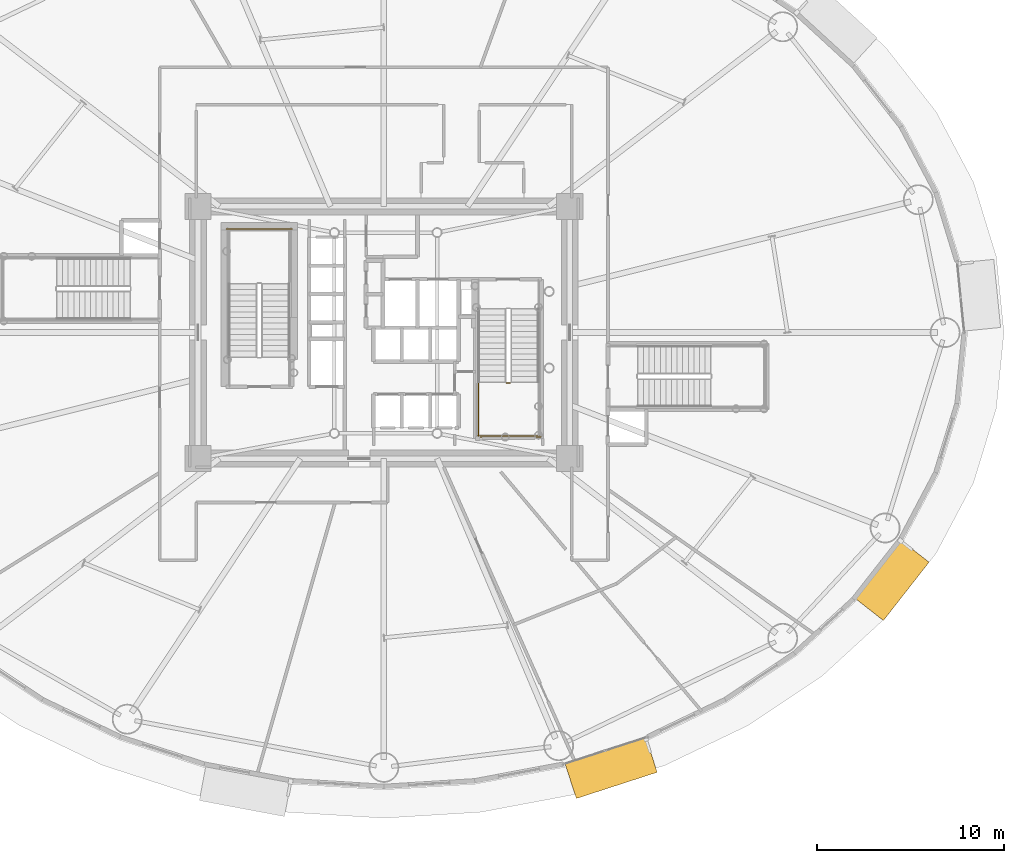
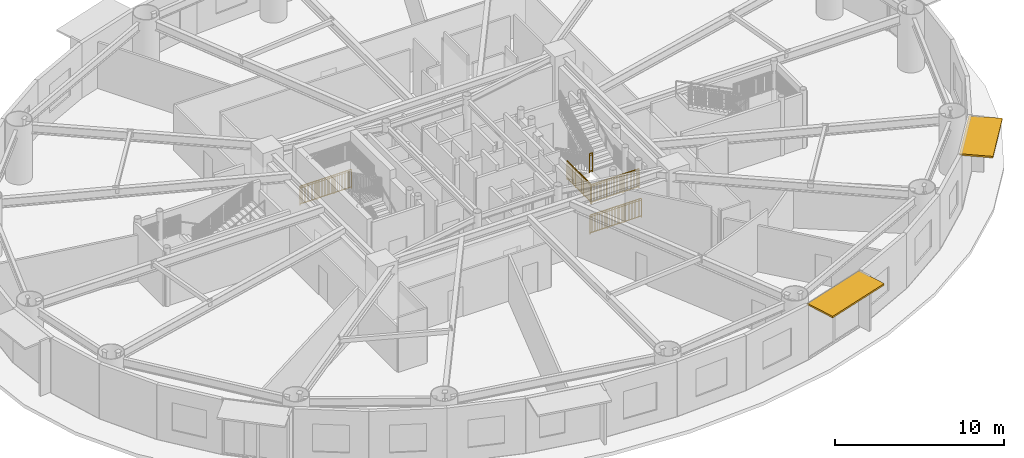
# One storey, part 30 of 35: 5 railings, 2 shading devices.
"""IFC4 building model written with IfcOpenShell, lengths in metres."""

from ifc_helpers import new_model, si_unit, direction, frame, origin, origin_2d, place, context, subcontext, project, spatial, rectangle, extrude, source, transform, mapped, material, layer, layer_set, type_object, element, save


model = new_model("IFC4")

# Units and contexts
model_context = context("Model", 3, precision=1e-05, world=origin(), true_north=direction((0.0, 1.0)))
body_context = subcontext(model_context, "Body", "Model", "MODEL_VIEW")
ifc_project = project(units=[si_unit("LENGTHUNIT", "METRE"), si_unit("AREAUNIT", "SQUARE_METRE"), si_unit("VOLUMEUNIT", "CUBIC_METRE"), si_unit("PLANEANGLEUNIT", "RADIAN"), si_unit("MASSUNIT", "GRAM", prefix="KILO")], contexts=[model_context])

# Site, building, storey
site_placement = place(None, origin())
site = spatial("IfcSite", under=ifc_project, at=site_placement, CompositionType="ELEMENT")
building_placement = place(site_placement, origin())
building = spatial("IfcBuilding", under=site, at=building_placement, Name="Linh Dai School and Residence Tower", CompositionType="ELEMENT")
storey_placement = place(building_placement, frame((0.0, 0.0, 32.39990234375)))
storey = spatial("IfcBuildingStorey", under=building, at=storey_placement, Name="L07", CompositionType="ELEMENT", Elevation=32.39990234375)

# Shading devices
ifc_material_1 = material(Name="Terracotta Ceramic Sunshade", Category="masonry")
ifc_layer = layer(ifc_material_1, 0.1201171875)
ifc_layer_set = layer_set([ifc_layer], Name="Terracotta Ceramic Sunshade")
shading_device_type = type_object("IfcShadingDeviceType", Name="SHD-TC-2000", PredefinedType="USERDEFINED", material=ifc_layer_set)
shared_shape_1 = source(origin(), body_context, "Body", "SweptSolid", [
    extrude(rectangle(XDim=4.54931640625, YDim=2.0, at=origin_2d()), origin(), (0.0, 0.0, 1.0), 0.1201171875),
])
shading_device_1_placement = place(storey_placement, frame((48.160400390625, 3.70458984375, 3.81005859375), z_axis=(0.0, 0.0, 1.0), x_axis=(-0.951220777043, -0.308510993844, 0.0)))
element("IfcShadingDevice", 1, at=shading_device_1_placement, inside=storey, type_object=shading_device_type, Name="L07 Terracotta Horizontal Sunshade Band 33", ObjectType="SUNSHADE", PredefinedType="USERDEFINED", context=body_context, shape_type="MappedRepresentation", body=[
    mapped(shared_shape_1, transform((0.0, 0.0, 0.0), x_axis=(1.0, 0.0, 0.0), y_axis=(0.0, 1.0, 0.0), z_axis=(0.0, 0.0, 1.0), scale=1.0)),
])
shared_shape_2 = source(origin(), body_context, "Body", "SweptSolid", [
    extrude(rectangle(XDim=3.964111328125, YDim=2.0, at=origin_2d()), origin(), (0.0, 0.0, 1.0), 0.1201171875),
])
shading_device_2_placement = place(storey_placement, frame((63.17822265625, 13.759521484375, 3.81005859375), z_axis=(0.0, 0.0, 1.0), x_axis=(-0.616319427785, -0.787496262172, 0.0)))
element("IfcShadingDevice", 2, at=shading_device_2_placement, inside=storey, type_object=shading_device_type, Name="L07 Terracotta Horizontal Sunshade Band 37", ObjectType="SUNSHADE", PredefinedType="USERDEFINED", context=body_context, shape_type="MappedRepresentation", body=[
    mapped(shared_shape_2, transform((0.0, 0.0, 0.0), x_axis=(1.0, 0.0, 0.0), y_axis=(0.0, 1.0, 0.0), z_axis=(0.0, 0.0, 1.0), scale=1.0)),
])

# Railings
ifc_material_2 = material(Name="Structural Steel S355JR", Category="steel")
railing_type = type_object("IfcRailingType", Name="RL-ST-GUARD-1400", PredefinedType="GUARDRAIL", material=ifc_material_2)
shared_shape_3 = source(origin(), body_context, "Body", "SweptSolid", [
    extrude(rectangle(XDim=0.048095703125, YDim=0.048095703125, at=origin_2d()), frame((0.0, 0.0, 1.3759765625), z_axis=(-1.0, 0.0, 0.0), x_axis=(0.0, -1.0, 0.0)), (0.0, 0.0, 1.0), 3.5),
    extrude(rectangle(XDim=0.048095703125, YDim=0.048095703125, at=origin_2d()), frame((0.0, 0.0, 0.10009765625), z_axis=(-1.0, 0.0, 0.0), x_axis=(0.0, -1.0, 0.0)), (0.0, 0.0, 1.0), 3.5),
    extrude(rectangle(XDim=0.030029296875, YDim=0.030029296875, at=origin_2d()), frame((0.0, 0.0, 1.239990234375), z_axis=(-1.0, 0.0, 0.0), x_axis=(0.0, -1.0, 0.0)), (0.0, 0.0, 1.0), 3.5),
    extrude(rectangle(XDim=0.02001953125, YDim=0.02001953125, at=origin_2d()), frame((-0.09716796875, 0.0, 0.10009765625)), (0.0, 0.0, 1.0), 1.251708984375),
    extrude(rectangle(XDim=0.02001953125, YDim=0.02001953125, at=origin_2d()), frame((-0.1943359375, 0.0, 0.10009765625)), (0.0, 0.0, 1.0), 1.251708984375),
    extrude(rectangle(XDim=0.02001953125, YDim=0.02001953125, at=origin_2d()), frame((-0.291748046875, 0.0, 0.10009765625)), (0.0, 0.0, 1.0), 1.251708984375),
    extrude(rectangle(XDim=0.02001953125, YDim=0.02001953125, at=origin_2d()), frame((-0.388916015625, 0.0, 0.10009765625)), (0.0, 0.0, 1.0), 1.251708984375),
    extrude(rectangle(XDim=0.02001953125, YDim=0.02001953125, at=origin_2d()), frame((-0.486083984375, 0.0, 0.10009765625)), (0.0, 0.0, 1.0), 1.251708984375),
    extrude(rectangle(XDim=0.02001953125, YDim=0.02001953125, at=origin_2d()), frame((-0.583251953125, 0.0, 0.10009765625)), (0.0, 0.0, 1.0), 1.251708984375),
    extrude(rectangle(XDim=0.02001953125, YDim=0.02001953125, at=origin_2d()), frame((-0.6806640625, 0.0, 0.10009765625)), (0.0, 0.0, 1.0), 1.251708984375),
    extrude(rectangle(XDim=0.02001953125, YDim=0.02001953125, at=origin_2d()), frame((-0.77783203125, 0.0, 0.10009765625)), (0.0, 0.0, 1.0), 1.251708984375),
    extrude(rectangle(XDim=0.02001953125, YDim=0.02001953125, at=origin_2d()), frame((-0.875, 0.0, 0.10009765625)), (0.0, 0.0, 1.0), 1.251708984375),
    extrude(rectangle(XDim=0.02001953125, YDim=0.02001953125, at=origin_2d()), frame((-0.97216796875, 0.0, 0.10009765625)), (0.0, 0.0, 1.0), 1.251708984375),
    extrude(rectangle(XDim=0.02001953125, YDim=0.02001953125, at=origin_2d()), frame((-1.0693359375, 0.0, 0.10009765625)), (0.0, 0.0, 1.0), 1.251708984375),
    extrude(rectangle(XDim=0.02001953125, YDim=0.02001953125, at=origin_2d()), frame((-1.263916015625, 0.0, 0.10009765625)), (0.0, 0.0, 1.0), 1.251708984375),
    extrude(rectangle(XDim=0.02001953125, YDim=0.02001953125, at=origin_2d()), frame((-1.361083984375, 0.0, 0.10009765625)), (0.0, 0.0, 1.0), 1.251708984375),
    extrude(rectangle(XDim=0.02001953125, YDim=0.02001953125, at=origin_2d()), frame((-1.458251953125, 0.0, 0.10009765625)), (0.0, 0.0, 1.0), 1.251708984375),
    extrude(rectangle(XDim=0.02001953125, YDim=0.02001953125, at=origin_2d()), frame((-1.5556640625, 0.0, 0.10009765625)), (0.0, 0.0, 1.0), 1.251708984375),
    extrude(rectangle(XDim=0.02001953125, YDim=0.02001953125, at=origin_2d()), frame((-1.65283203125, 0.0, 0.10009765625)), (0.0, 0.0, 1.0), 1.251708984375),
    extrude(rectangle(XDim=0.02001953125, YDim=0.02001953125, at=origin_2d()), frame((-1.75, 0.0, 0.10009765625)), (0.0, 0.0, 1.0), 1.251708984375),
    extrude(rectangle(XDim=0.02001953125, YDim=0.02001953125, at=origin_2d()), frame((-1.84716796875, 0.0, 0.10009765625)), (0.0, 0.0, 1.0), 1.251708984375),
    extrude(rectangle(XDim=0.02001953125, YDim=0.02001953125, at=origin_2d()), frame((-1.9443359375, 0.0, 0.10009765625)), (0.0, 0.0, 1.0), 1.251708984375),
    extrude(rectangle(XDim=0.02001953125, YDim=0.02001953125, at=origin_2d()), frame((-2.041748046875, 0.0, 0.10009765625)), (0.0, 0.0, 1.0), 1.251708984375),
    extrude(rectangle(XDim=0.02001953125, YDim=0.02001953125, at=origin_2d()), frame((-2.138916015625, 0.0, 0.10009765625)), (0.0, 0.0, 1.0), 1.251708984375),
    extrude(rectangle(XDim=0.02001953125, YDim=0.02001953125, at=origin_2d()), frame((-2.236083984375, 0.0, 0.10009765625)), (0.0, 0.0, 1.0), 1.251708984375),
    extrude(rectangle(XDim=0.02001953125, YDim=0.02001953125, at=origin_2d()), frame((-2.4306640625, 0.0, 0.10009765625)), (0.0, 0.0, 1.0), 1.251708984375),
    extrude(rectangle(XDim=0.02001953125, YDim=0.02001953125, at=origin_2d()), frame((-2.52783203125, 0.0, 0.10009765625)), (0.0, 0.0, 1.0), 1.251708984375),
    extrude(rectangle(XDim=0.02001953125, YDim=0.02001953125, at=origin_2d()), frame((-2.625, 0.0, 0.10009765625)), (0.0, 0.0, 1.0), 1.251708984375),
    extrude(rectangle(XDim=0.02001953125, YDim=0.02001953125, at=origin_2d()), frame((-2.72216796875, 0.0, 0.10009765625)), (0.0, 0.0, 1.0), 1.251708984375),
    extrude(rectangle(XDim=0.02001953125, YDim=0.02001953125, at=origin_2d()), frame((-2.8193359375, 0.0, 0.10009765625)), (0.0, 0.0, 1.0), 1.251708984375),
    extrude(rectangle(XDim=0.02001953125, YDim=0.02001953125, at=origin_2d()), frame((-2.916748046875, 0.0, 0.10009765625)), (0.0, 0.0, 1.0), 1.251708984375),
    extrude(rectangle(XDim=0.02001953125, YDim=0.02001953125, at=origin_2d()), frame((-3.013916015625, 0.0, 0.10009765625)), (0.0, 0.0, 1.0), 1.251708984375),
    extrude(rectangle(XDim=0.02001953125, YDim=0.02001953125, at=origin_2d()), frame((-3.111083984375, 0.0, 0.10009765625)), (0.0, 0.0, 1.0), 1.251708984375),
    extrude(rectangle(XDim=0.02001953125, YDim=0.02001953125, at=origin_2d()), frame((-3.208251953125, 0.0, 0.10009765625)), (0.0, 0.0, 1.0), 1.251708984375),
    extrude(rectangle(XDim=0.02001953125, YDim=0.02001953125, at=origin_2d()), frame((-3.3056640625, 0.0, 0.10009765625)), (0.0, 0.0, 1.0), 1.251708984375),
    extrude(rectangle(XDim=0.02001953125, YDim=0.02001953125, at=origin_2d()), frame((-3.40283203125, 0.0, 0.10009765625)), (0.0, 0.0, 1.0), 1.251708984375),
    extrude(rectangle(XDim=0.0419921875, YDim=0.0419921875, at=origin_2d()), origin(), (0.0, 0.0, 1.0), 1.3759765625),
    extrude(rectangle(XDim=0.0419921875, YDim=0.0419921875, at=origin_2d()), frame((-1.166748046875, 0.0, 0.0)), (0.0, 0.0, 1.0), 1.3759765625),
    extrude(rectangle(XDim=0.0419921875, YDim=0.0419921875, at=origin_2d()), frame((-2.333251953125, 0.0, 0.0)), (0.0, 0.0, 1.0), 1.3759765625),
    extrude(rectangle(XDim=0.0419921875, YDim=0.0419921875, at=origin_2d()), frame((-3.5, 0.0, 0.0)), (0.0, 0.0, 1.0), 1.3759765625),
])
railing_1_placement = place(storey_placement, frame((31.080078125, 32.550048828125, 0.0)))
element("IfcRailing", 3, at=railing_1_placement, inside=storey, type_object=railing_type, Name="L07 ST1 stair guard 12", PredefinedType="GUARDRAIL", context=body_context, shape_type="MappedRepresentation", body=[
    mapped(shared_shape_3, transform((0.0, 0.0, 0.0), x_axis=(1.0, 0.0, 0.0), y_axis=(0.0, 1.0, 0.0), z_axis=(0.0, 0.0, 1.0), scale=1.0)),
])
shared_shape_4 = source(origin(), body_context, "Body", "SweptSolid", [
    extrude(rectangle(XDim=0.048095703125, YDim=0.048095703125, at=origin_2d()), frame((0.0, 0.0, 1.3759765625), z_axis=(1.0, 0.0, 0.0), x_axis=(0.0, 1.0, 0.0)), (0.0, 0.0, 1.0), 0.199951171875),
    extrude(rectangle(XDim=0.048095703125, YDim=0.048095703125, at=origin_2d()), frame((0.0, 0.0, 0.10009765625), z_axis=(1.0, 0.0, 0.0), x_axis=(0.0, 1.0, 0.0)), (0.0, 0.0, 1.0), 0.199951171875),
    extrude(rectangle(XDim=0.030029296875, YDim=0.030029296875, at=origin_2d()), frame((0.0, 0.0, 1.239990234375), z_axis=(1.0, 0.0, 0.0), x_axis=(0.0, 1.0, 0.0)), (0.0, 0.0, 1.0), 0.199951171875),
    extrude(rectangle(XDim=0.0419921875, YDim=0.0419921875, at=origin_2d()), origin(), (0.0, 0.0, 1.0), 1.3759765625),
    extrude(rectangle(XDim=0.0419921875, YDim=0.0419921875, at=origin_2d()), frame((0.199951171875, 0.0, 0.0)), (0.0, 0.0, 1.0), 1.3759765625),
])
railing_2_placement = place(storey_placement, frame((42.570068359375, 24.300048828125, 2.10009765625)))
element("IfcRailing", 4, at=railing_2_placement, inside=storey, type_object=railing_type, Name="L07 ST2 stair guard 2", PredefinedType="GUARDRAIL", context=body_context, shape_type="MappedRepresentation", body=[
    mapped(shared_shape_4, transform((0.0, 0.0, 0.0), x_axis=(1.0, 0.0, 0.0), y_axis=(0.0, 1.0, 0.0), z_axis=(0.0, 0.0, 1.0), scale=1.0)),
])
shared_shape_5 = source(origin(), body_context, "Body", "SweptSolid", [
    extrude(rectangle(XDim=0.048095703125, YDim=0.048095703125, at=origin_2d()), frame((0.0, 0.0, 1.3759765625), z_axis=(1.0, 0.0, 0.0), x_axis=(0.0, 1.0, 0.0)), (0.0, 0.0, 1.0), 3.300048828125),
    extrude(rectangle(XDim=0.048095703125, YDim=0.048095703125, at=origin_2d()), frame((0.0, 0.0, 0.10009765625), z_axis=(1.0, 0.0, 0.0), x_axis=(0.0, 1.0, 0.0)), (0.0, 0.0, 1.0), 3.300048828125),
    extrude(rectangle(XDim=0.030029296875, YDim=0.030029296875, at=origin_2d()), frame((0.0, 0.0, 1.239990234375), z_axis=(1.0, 0.0, 0.0), x_axis=(0.0, 1.0, 0.0)), (0.0, 0.0, 1.0), 3.300048828125),
    extrude(rectangle(XDim=0.02001953125, YDim=0.02001953125, at=origin_2d()), frame((0.09716796875, 0.0, 0.10009765625)), (0.0, 0.0, 1.0), 1.251708984375),
    extrude(rectangle(XDim=0.02001953125, YDim=0.02001953125, at=origin_2d()), frame((0.194091796875, 0.0, 0.10009765625)), (0.0, 0.0, 1.0), 1.251708984375),
    extrude(rectangle(XDim=0.02001953125, YDim=0.02001953125, at=origin_2d()), frame((0.291259765625, 0.0, 0.10009765625)), (0.0, 0.0, 1.0), 1.251708984375),
    extrude(rectangle(XDim=0.02001953125, YDim=0.02001953125, at=origin_2d()), frame((0.38818359375, 0.0, 0.10009765625)), (0.0, 0.0, 1.0), 1.251708984375),
    extrude(rectangle(XDim=0.02001953125, YDim=0.02001953125, at=origin_2d()), frame((0.4853515625, 0.0, 0.10009765625)), (0.0, 0.0, 1.0), 1.251708984375),
    extrude(rectangle(XDim=0.02001953125, YDim=0.02001953125, at=origin_2d()), frame((0.582275390625, 0.0, 0.10009765625)), (0.0, 0.0, 1.0), 1.251708984375),
    extrude(rectangle(XDim=0.02001953125, YDim=0.02001953125, at=origin_2d()), frame((0.679443359375, 0.0, 0.10009765625)), (0.0, 0.0, 1.0), 1.251708984375),
    extrude(rectangle(XDim=0.02001953125, YDim=0.02001953125, at=origin_2d()), frame((0.7763671875, 0.0, 0.10009765625)), (0.0, 0.0, 1.0), 1.251708984375),
    extrude(rectangle(XDim=0.02001953125, YDim=0.02001953125, at=origin_2d()), frame((0.87353515625, 0.0, 0.10009765625)), (0.0, 0.0, 1.0), 1.251708984375),
    extrude(rectangle(XDim=0.02001953125, YDim=0.02001953125, at=origin_2d()), frame((0.970703125, 0.0, 0.10009765625)), (0.0, 0.0, 1.0), 1.251708984375),
    extrude(rectangle(XDim=0.02001953125, YDim=0.02001953125, at=origin_2d()), frame((1.164794921875, 0.0, 0.10009765625)), (0.0, 0.0, 1.0), 1.251708984375),
    extrude(rectangle(XDim=0.02001953125, YDim=0.02001953125, at=origin_2d()), frame((1.26171875, 0.0, 0.10009765625)), (0.0, 0.0, 1.0), 1.251708984375),
    extrude(rectangle(XDim=0.02001953125, YDim=0.02001953125, at=origin_2d()), frame((1.35888671875, 0.0, 0.10009765625)), (0.0, 0.0, 1.0), 1.251708984375),
    extrude(rectangle(XDim=0.02001953125, YDim=0.02001953125, at=origin_2d()), frame((1.455810546875, 0.0, 0.10009765625)), (0.0, 0.0, 1.0), 1.251708984375),
    extrude(rectangle(XDim=0.02001953125, YDim=0.02001953125, at=origin_2d()), frame((1.552978515625, 0.0, 0.10009765625)), (0.0, 0.0, 1.0), 1.251708984375),
    extrude(rectangle(XDim=0.02001953125, YDim=0.02001953125, at=origin_2d()), frame((1.64990234375, 0.0, 0.10009765625)), (0.0, 0.0, 1.0), 1.251708984375),
    extrude(rectangle(XDim=0.02001953125, YDim=0.02001953125, at=origin_2d()), frame((1.7470703125, 0.0, 0.10009765625)), (0.0, 0.0, 1.0), 1.251708984375),
    extrude(rectangle(XDim=0.02001953125, YDim=0.02001953125, at=origin_2d()), frame((1.84423828125, 0.0, 0.10009765625)), (0.0, 0.0, 1.0), 1.251708984375),
    extrude(rectangle(XDim=0.02001953125, YDim=0.02001953125, at=origin_2d()), frame((1.941162109375, 0.0, 0.10009765625)), (0.0, 0.0, 1.0), 1.251708984375),
    extrude(rectangle(XDim=0.02001953125, YDim=0.02001953125, at=origin_2d()), frame((2.038330078125, 0.0, 0.10009765625)), (0.0, 0.0, 1.0), 1.251708984375),
    extrude(rectangle(XDim=0.02001953125, YDim=0.02001953125, at=origin_2d()), frame((2.13525390625, 0.0, 0.10009765625)), (0.0, 0.0, 1.0), 1.251708984375),
    extrude(rectangle(XDim=0.02001953125, YDim=0.02001953125, at=origin_2d()), frame((2.329345703125, 0.0, 0.10009765625)), (0.0, 0.0, 1.0), 1.251708984375),
    extrude(rectangle(XDim=0.02001953125, YDim=0.02001953125, at=origin_2d()), frame((2.426513671875, 0.0, 0.10009765625)), (0.0, 0.0, 1.0), 1.251708984375),
    extrude(rectangle(XDim=0.02001953125, YDim=0.02001953125, at=origin_2d()), frame((2.523681640625, 0.0, 0.10009765625)), (0.0, 0.0, 1.0), 1.251708984375),
    extrude(rectangle(XDim=0.02001953125, YDim=0.02001953125, at=origin_2d()), frame((2.62060546875, 0.0, 0.10009765625)), (0.0, 0.0, 1.0), 1.251708984375),
    extrude(rectangle(XDim=0.02001953125, YDim=0.02001953125, at=origin_2d()), frame((2.7177734375, 0.0, 0.10009765625)), (0.0, 0.0, 1.0), 1.251708984375),
    extrude(rectangle(XDim=0.02001953125, YDim=0.02001953125, at=origin_2d()), frame((2.814697265625, 0.0, 0.10009765625)), (0.0, 0.0, 1.0), 1.251708984375),
    extrude(rectangle(XDim=0.02001953125, YDim=0.02001953125, at=origin_2d()), frame((2.911865234375, 0.0, 0.10009765625)), (0.0, 0.0, 1.0), 1.251708984375),
    extrude(rectangle(XDim=0.02001953125, YDim=0.02001953125, at=origin_2d()), frame((3.0087890625, 0.0, 0.10009765625)), (0.0, 0.0, 1.0), 1.251708984375),
    extrude(rectangle(XDim=0.02001953125, YDim=0.02001953125, at=origin_2d()), frame((3.10595703125, 0.0, 0.10009765625)), (0.0, 0.0, 1.0), 1.251708984375),
    extrude(rectangle(XDim=0.02001953125, YDim=0.02001953125, at=origin_2d()), frame((3.202880859375, 0.0, 0.10009765625)), (0.0, 0.0, 1.0), 1.251708984375),
    extrude(rectangle(XDim=0.0419921875, YDim=0.0419921875, at=origin_2d()), origin(), (0.0, 0.0, 1.0), 1.3759765625),
    extrude(rectangle(XDim=0.0419921875, YDim=0.0419921875, at=origin_2d()), frame((1.10009765625, 0.0, 0.0)), (0.0, 0.0, 1.0), 1.3759765625),
    extrude(rectangle(XDim=0.0419921875, YDim=0.0419921875, at=origin_2d()), frame((2.199951171875, 0.0, 0.0)), (0.0, 0.0, 1.0), 1.3759765625),
    extrude(rectangle(XDim=0.0419921875, YDim=0.0419921875, at=origin_2d()), frame((3.300048828125, 0.0, 0.0)), (0.0, 0.0, 1.0), 1.3759765625),
])
railing_3_placement = place(storey_placement, frame((41.02001953125, 21.5, 2.10009765625)))
element("IfcRailing", 5, at=railing_3_placement, inside=storey, type_object=railing_type, Name="L07 ST2 stair guard 5", PredefinedType="GUARDRAIL", context=body_context, shape_type="MappedRepresentation", body=[
    mapped(shared_shape_5, transform((0.0, 0.0, 0.0), x_axis=(1.0, 0.0, 0.0), y_axis=(0.0, 1.0, 0.0), z_axis=(0.0, 0.0, 1.0), scale=1.0)),
])
shared_shape_6 = source(origin(), body_context, "Body", "SweptSolid", [
    extrude(rectangle(XDim=0.048095703125, YDim=0.048095703125, at=origin_2d()), frame((0.0, 0.0, 1.3759765625), z_axis=(1.0, 0.0, 0.0), x_axis=(0.0, 1.0, 0.0)), (0.0, 0.0, 1.0), 3.5),
    extrude(rectangle(XDim=0.048095703125, YDim=0.048095703125, at=origin_2d()), frame((0.0, 0.0, 0.10009765625), z_axis=(1.0, 0.0, 0.0), x_axis=(0.0, 1.0, 0.0)), (0.0, 0.0, 1.0), 3.5),
    extrude(rectangle(XDim=0.030029296875, YDim=0.030029296875, at=origin_2d()), frame((0.0, 0.0, 1.239990234375), z_axis=(1.0, 0.0, 0.0), x_axis=(0.0, 1.0, 0.0)), (0.0, 0.0, 1.0), 3.5),
    extrude(rectangle(XDim=0.02001953125, YDim=0.02001953125, at=origin_2d()), frame((0.09716796875, 0.0, 0.10009765625)), (0.0, 0.0, 1.0), 1.251708984375),
    extrude(rectangle(XDim=0.02001953125, YDim=0.02001953125, at=origin_2d()), frame((0.1943359375, 0.0, 0.10009765625)), (0.0, 0.0, 1.0), 1.251708984375),
    extrude(rectangle(XDim=0.02001953125, YDim=0.02001953125, at=origin_2d()), frame((0.291748046875, 0.0, 0.10009765625)), (0.0, 0.0, 1.0), 1.251708984375),
    extrude(rectangle(XDim=0.02001953125, YDim=0.02001953125, at=origin_2d()), frame((0.388916015625, 0.0, 0.10009765625)), (0.0, 0.0, 1.0), 1.251708984375),
    extrude(rectangle(XDim=0.02001953125, YDim=0.02001953125, at=origin_2d()), frame((0.486083984375, 0.0, 0.10009765625)), (0.0, 0.0, 1.0), 1.251708984375),
    extrude(rectangle(XDim=0.02001953125, YDim=0.02001953125, at=origin_2d()), frame((0.583251953125, 0.0, 0.10009765625)), (0.0, 0.0, 1.0), 1.251708984375),
    extrude(rectangle(XDim=0.02001953125, YDim=0.02001953125, at=origin_2d()), frame((0.6806640625, 0.0, 0.10009765625)), (0.0, 0.0, 1.0), 1.251708984375),
    extrude(rectangle(XDim=0.02001953125, YDim=0.02001953125, at=origin_2d()), frame((0.77783203125, 0.0, 0.10009765625)), (0.0, 0.0, 1.0), 1.251708984375),
    extrude(rectangle(XDim=0.02001953125, YDim=0.02001953125, at=origin_2d()), frame((0.875, 0.0, 0.10009765625)), (0.0, 0.0, 1.0), 1.251708984375),
    extrude(rectangle(XDim=0.02001953125, YDim=0.02001953125, at=origin_2d()), frame((0.97216796875, 0.0, 0.10009765625)), (0.0, 0.0, 1.0), 1.251708984375),
    extrude(rectangle(XDim=0.02001953125, YDim=0.02001953125, at=origin_2d()), frame((1.0693359375, 0.0, 0.10009765625)), (0.0, 0.0, 1.0), 1.251708984375),
    extrude(rectangle(XDim=0.02001953125, YDim=0.02001953125, at=origin_2d()), frame((1.263916015625, 0.0, 0.10009765625)), (0.0, 0.0, 1.0), 1.251708984375),
    extrude(rectangle(XDim=0.02001953125, YDim=0.02001953125, at=origin_2d()), frame((1.361083984375, 0.0, 0.10009765625)), (0.0, 0.0, 1.0), 1.251708984375),
    extrude(rectangle(XDim=0.02001953125, YDim=0.02001953125, at=origin_2d()), frame((1.458251953125, 0.0, 0.10009765625)), (0.0, 0.0, 1.0), 1.251708984375),
    extrude(rectangle(XDim=0.02001953125, YDim=0.02001953125, at=origin_2d()), frame((1.5556640625, 0.0, 0.10009765625)), (0.0, 0.0, 1.0), 1.251708984375),
    extrude(rectangle(XDim=0.02001953125, YDim=0.02001953125, at=origin_2d()), frame((1.65283203125, 0.0, 0.10009765625)), (0.0, 0.0, 1.0), 1.251708984375),
    extrude(rectangle(XDim=0.02001953125, YDim=0.02001953125, at=origin_2d()), frame((1.75, 0.0, 0.10009765625)), (0.0, 0.0, 1.0), 1.251708984375),
    extrude(rectangle(XDim=0.02001953125, YDim=0.02001953125, at=origin_2d()), frame((1.84716796875, 0.0, 0.10009765625)), (0.0, 0.0, 1.0), 1.251708984375),
    extrude(rectangle(XDim=0.02001953125, YDim=0.02001953125, at=origin_2d()), frame((1.9443359375, 0.0, 0.10009765625)), (0.0, 0.0, 1.0), 1.251708984375),
    extrude(rectangle(XDim=0.02001953125, YDim=0.02001953125, at=origin_2d()), frame((2.041748046875, 0.0, 0.10009765625)), (0.0, 0.0, 1.0), 1.251708984375),
    extrude(rectangle(XDim=0.02001953125, YDim=0.02001953125, at=origin_2d()), frame((2.138916015625, 0.0, 0.10009765625)), (0.0, 0.0, 1.0), 1.251708984375),
    extrude(rectangle(XDim=0.02001953125, YDim=0.02001953125, at=origin_2d()), frame((2.236083984375, 0.0, 0.10009765625)), (0.0, 0.0, 1.0), 1.251708984375),
    extrude(rectangle(XDim=0.02001953125, YDim=0.02001953125, at=origin_2d()), frame((2.4306640625, 0.0, 0.10009765625)), (0.0, 0.0, 1.0), 1.251708984375),
    extrude(rectangle(XDim=0.02001953125, YDim=0.02001953125, at=origin_2d()), frame((2.52783203125, 0.0, 0.10009765625)), (0.0, 0.0, 1.0), 1.251708984375),
    extrude(rectangle(XDim=0.02001953125, YDim=0.02001953125, at=origin_2d()), frame((2.625, 0.0, 0.10009765625)), (0.0, 0.0, 1.0), 1.251708984375),
    extrude(rectangle(XDim=0.02001953125, YDim=0.02001953125, at=origin_2d()), frame((2.72216796875, 0.0, 0.10009765625)), (0.0, 0.0, 1.0), 1.251708984375),
    extrude(rectangle(XDim=0.02001953125, YDim=0.02001953125, at=origin_2d()), frame((2.8193359375, 0.0, 0.10009765625)), (0.0, 0.0, 1.0), 1.251708984375),
    extrude(rectangle(XDim=0.02001953125, YDim=0.02001953125, at=origin_2d()), frame((2.916748046875, 0.0, 0.10009765625)), (0.0, 0.0, 1.0), 1.251708984375),
    extrude(rectangle(XDim=0.02001953125, YDim=0.02001953125, at=origin_2d()), frame((3.013916015625, 0.0, 0.10009765625)), (0.0, 0.0, 1.0), 1.251708984375),
    extrude(rectangle(XDim=0.02001953125, YDim=0.02001953125, at=origin_2d()), frame((3.111083984375, 0.0, 0.10009765625)), (0.0, 0.0, 1.0), 1.251708984375),
    extrude(rectangle(XDim=0.02001953125, YDim=0.02001953125, at=origin_2d()), frame((3.208251953125, 0.0, 0.10009765625)), (0.0, 0.0, 1.0), 1.251708984375),
    extrude(rectangle(XDim=0.02001953125, YDim=0.02001953125, at=origin_2d()), frame((3.3056640625, 0.0, 0.10009765625)), (0.0, 0.0, 1.0), 1.251708984375),
    extrude(rectangle(XDim=0.02001953125, YDim=0.02001953125, at=origin_2d()), frame((3.40283203125, 0.0, 0.10009765625)), (0.0, 0.0, 1.0), 1.251708984375),
    extrude(rectangle(XDim=0.0419921875, YDim=0.0419921875, at=origin_2d()), origin(), (0.0, 0.0, 1.0), 1.3759765625),
    extrude(rectangle(XDim=0.0419921875, YDim=0.0419921875, at=origin_2d()), frame((1.166748046875, 0.0, 0.0)), (0.0, 0.0, 1.0), 1.3759765625),
    extrude(rectangle(XDim=0.0419921875, YDim=0.0419921875, at=origin_2d()), frame((2.333251953125, 0.0, 0.0)), (0.0, 0.0, 1.0), 1.3759765625),
    extrude(rectangle(XDim=0.0419921875, YDim=0.0419921875, at=origin_2d()), frame((3.5, 0.0, 0.0)), (0.0, 0.0, 1.0), 1.3759765625),
])
railing_4_placement = place(storey_placement, frame((40.919921875, 21.39990234375, 0.0)))
element("IfcRailing", 6, at=railing_4_placement, inside=storey, type_object=railing_type, Name="L07 ST2 stair guard 12", PredefinedType="GUARDRAIL", context=body_context, shape_type="MappedRepresentation", body=[
    mapped(shared_shape_6, transform((0.0, 0.0, 0.0), x_axis=(1.0, 0.0, 0.0), y_axis=(0.0, 1.0, 0.0), z_axis=(0.0, 0.0, 1.0), scale=1.0)),
])
shared_shape_7 = source(origin(), body_context, "Body", "SweptSolid", [
    extrude(rectangle(XDim=0.048095703125, YDim=0.048095703125, at=origin_2d()), frame((0.0, 0.0, 1.3759765625), z_axis=(0.0, -1.0, 0.0), x_axis=(1.0, 0.0, 0.0)), (0.0, 0.0, 1.0), 2.900146484375),
    extrude(rectangle(XDim=0.048095703125, YDim=0.048095703125, at=origin_2d()), frame((0.0, 0.0, 0.10009765625), z_axis=(0.0, -1.0, 0.0), x_axis=(1.0, 0.0, 0.0)), (0.0, 0.0, 1.0), 2.900146484375),
    extrude(rectangle(XDim=0.030029296875, YDim=0.030029296875, at=origin_2d()), frame((0.0, 0.0, 1.239990234375), z_axis=(0.0, -1.0, 0.0), x_axis=(1.0, 0.0, 0.0)), (0.0, 0.0, 1.0), 2.900146484375),
    extrude(rectangle(XDim=0.02001953125, YDim=0.02001953125, at=origin_2d()), frame((0.0, -0.0966796875, 0.10009765625)), (0.0, 0.0, 1.0), 1.251708984375),
    extrude(rectangle(XDim=0.02001953125, YDim=0.02001953125, at=origin_2d()), frame((0.0, -0.193359375, 0.10009765625)), (0.0, 0.0, 1.0), 1.251708984375),
    extrude(rectangle(XDim=0.02001953125, YDim=0.02001953125, at=origin_2d()), frame((0.0, -0.2900390625, 0.10009765625)), (0.0, 0.0, 1.0), 1.251708984375),
    extrude(rectangle(XDim=0.02001953125, YDim=0.02001953125, at=origin_2d()), frame((0.0, -0.38671875, 0.10009765625)), (0.0, 0.0, 1.0), 1.251708984375),
    extrude(rectangle(XDim=0.02001953125, YDim=0.02001953125, at=origin_2d()), frame((0.0, -0.4833984375, 0.10009765625)), (0.0, 0.0, 1.0), 1.251708984375),
    extrude(rectangle(XDim=0.02001953125, YDim=0.02001953125, at=origin_2d()), frame((0.0, -0.580078125, 0.10009765625)), (0.0, 0.0, 1.0), 1.251708984375),
    extrude(rectangle(XDim=0.02001953125, YDim=0.02001953125, at=origin_2d()), frame((0.0, -0.6767578125, 0.10009765625)), (0.0, 0.0, 1.0), 1.251708984375),
    extrude(rectangle(XDim=0.02001953125, YDim=0.02001953125, at=origin_2d()), frame((0.0, -0.7734375, 0.10009765625)), (0.0, 0.0, 1.0), 1.251708984375),
    extrude(rectangle(XDim=0.02001953125, YDim=0.02001953125, at=origin_2d()), frame((0.0, -0.8701171875, 0.10009765625)), (0.0, 0.0, 1.0), 1.251708984375),
    extrude(rectangle(XDim=0.02001953125, YDim=0.02001953125, at=origin_2d()), frame((0.0, -1.0634765625, 0.10009765625)), (0.0, 0.0, 1.0), 1.251708984375),
    extrude(rectangle(XDim=0.02001953125, YDim=0.02001953125, at=origin_2d()), frame((0.0, -1.16015625, 0.10009765625)), (0.0, 0.0, 1.0), 1.251708984375),
    extrude(rectangle(XDim=0.02001953125, YDim=0.02001953125, at=origin_2d()), frame((0.0, -1.2568359375, 0.10009765625)), (0.0, 0.0, 1.0), 1.251708984375),
    extrude(rectangle(XDim=0.02001953125, YDim=0.02001953125, at=origin_2d()), frame((0.0, -1.353515625, 0.10009765625)), (0.0, 0.0, 1.0), 1.251708984375),
    extrude(rectangle(XDim=0.02001953125, YDim=0.02001953125, at=origin_2d()), frame((0.0, -1.4501953125, 0.10009765625)), (0.0, 0.0, 1.0), 1.251708984375),
    extrude(rectangle(XDim=0.02001953125, YDim=0.02001953125, at=origin_2d()), frame((0.0, -1.546630859375, 0.10009765625)), (0.0, 0.0, 1.0), 1.251708984375),
    extrude(rectangle(XDim=0.02001953125, YDim=0.02001953125, at=origin_2d()), frame((0.0, -1.643310546875, 0.10009765625)), (0.0, 0.0, 1.0), 1.251708984375),
    extrude(rectangle(XDim=0.02001953125, YDim=0.02001953125, at=origin_2d()), frame((0.0, -1.739990234375, 0.10009765625)), (0.0, 0.0, 1.0), 1.251708984375),
    extrude(rectangle(XDim=0.02001953125, YDim=0.02001953125, at=origin_2d()), frame((0.0, -1.836669921875, 0.10009765625)), (0.0, 0.0, 1.0), 1.251708984375),
    extrude(rectangle(XDim=0.02001953125, YDim=0.02001953125, at=origin_2d()), frame((0.0, -2.030029296875, 0.10009765625)), (0.0, 0.0, 1.0), 1.251708984375),
    extrude(rectangle(XDim=0.02001953125, YDim=0.02001953125, at=origin_2d()), frame((0.0, -2.126708984375, 0.10009765625)), (0.0, 0.0, 1.0), 1.251708984375),
    extrude(rectangle(XDim=0.02001953125, YDim=0.02001953125, at=origin_2d()), frame((0.0, -2.223388671875, 0.10009765625)), (0.0, 0.0, 1.0), 1.251708984375),
    extrude(rectangle(XDim=0.02001953125, YDim=0.02001953125, at=origin_2d()), frame((0.0, -2.320068359375, 0.10009765625)), (0.0, 0.0, 1.0), 1.251708984375),
    extrude(rectangle(XDim=0.02001953125, YDim=0.02001953125, at=origin_2d()), frame((0.0, -2.416748046875, 0.10009765625)), (0.0, 0.0, 1.0), 1.251708984375),
    extrude(rectangle(XDim=0.02001953125, YDim=0.02001953125, at=origin_2d()), frame((0.0, -2.513427734375, 0.10009765625)), (0.0, 0.0, 1.0), 1.251708984375),
    extrude(rectangle(XDim=0.02001953125, YDim=0.02001953125, at=origin_2d()), frame((0.0, -2.610107421875, 0.10009765625)), (0.0, 0.0, 1.0), 1.251708984375),
    extrude(rectangle(XDim=0.02001953125, YDim=0.02001953125, at=origin_2d()), frame((0.0, -2.706787109375, 0.10009765625)), (0.0, 0.0, 1.0), 1.251708984375),
    extrude(rectangle(XDim=0.02001953125, YDim=0.02001953125, at=origin_2d()), frame((0.0, -2.803466796875, 0.10009765625)), (0.0, 0.0, 1.0), 1.251708984375),
    extrude(rectangle(XDim=0.0419921875, YDim=0.0419921875, at=origin_2d()), origin(), (0.0, 0.0, 1.0), 1.3759765625),
    extrude(rectangle(XDim=0.0419921875, YDim=0.0419921875, at=origin_2d()), frame((0.0, -0.966796875, 0.0)), (0.0, 0.0, 1.0), 1.3759765625),
    extrude(rectangle(XDim=0.0419921875, YDim=0.0419921875, at=origin_2d()), frame((0.0, -1.933349609375, 0.0)), (0.0, 0.0, 1.0), 1.3759765625),
    extrude(rectangle(XDim=0.0419921875, YDim=0.0419921875, at=origin_2d()), frame((0.0, -2.900146484375, 0.0)), (0.0, 0.0, 1.0), 1.3759765625),
])
railing_5_placement = place(storey_placement, frame((41.070068359375, 24.35009765625, 2.10009765625)))
element("IfcRailing", 7, at=railing_5_placement, inside=storey, type_object=railing_type, Name="L07 ST2 stair guard 3", PredefinedType="GUARDRAIL", context=body_context, shape_type="MappedRepresentation", body=[
    mapped(shared_shape_7, transform((0.0, 0.0, 0.0), x_axis=(1.0, 0.0, 0.0), y_axis=(0.0, 1.0, 0.0), z_axis=(0.0, 0.0, 1.0), scale=1.0)),
])

save(model, "model.ifc")
